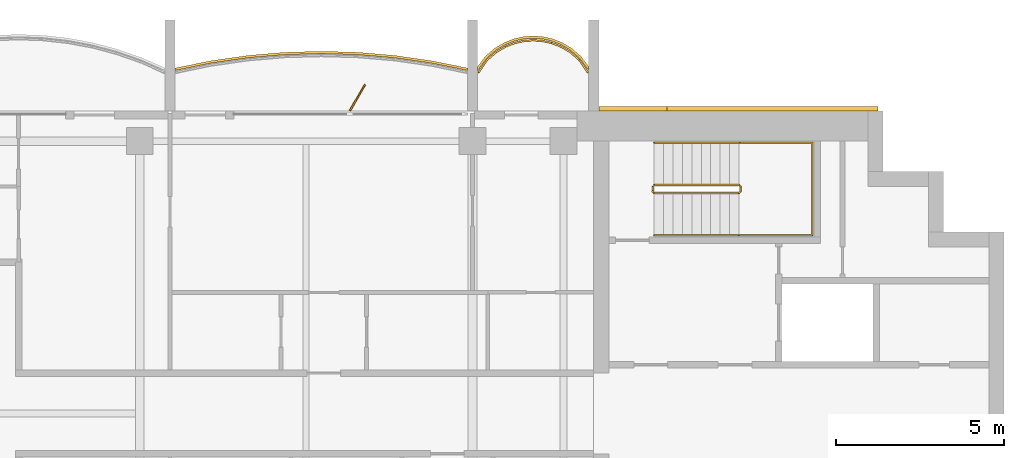
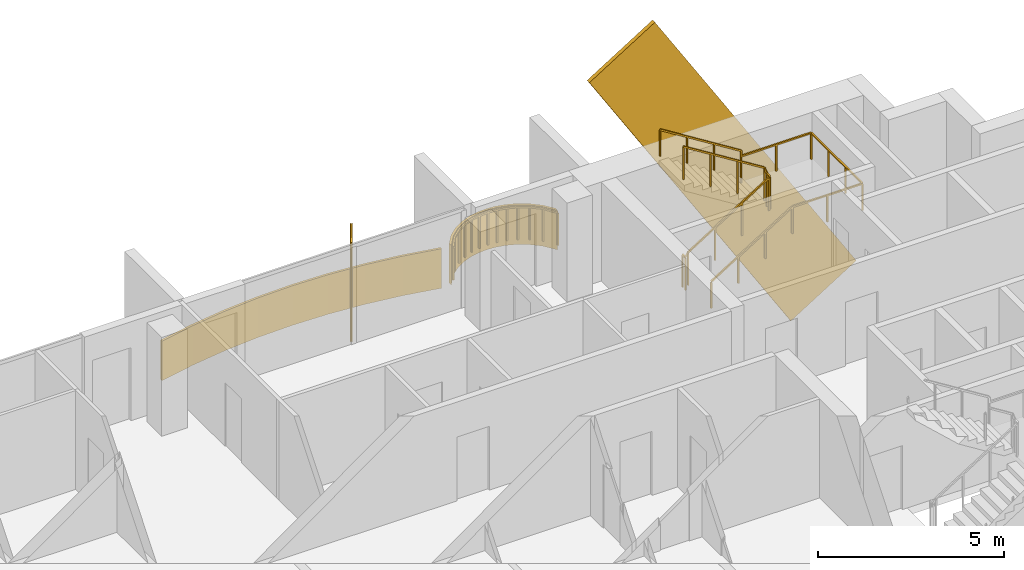
# One storey, part 16 of 16: 3 coverings, 3 railings, 1 shading device.
"""IFC4 building model written with IfcOpenShell, lengths in metres."""

from ifc_helpers import new_model, si_unit, direction, frame, origin, origin_2d, place, context, subcontext, project, spatial, polyline, rectangle, outline, extrude, material, layer, layer_set, material_profile, profile_set, type_object, element, save


model = new_model("IFC4")

# Units and contexts
model_context = context("Model", 3, precision=1e-05, world=origin(), true_north=direction((0.0, 1.0)))
body_context = subcontext(model_context, "Body", "Model", "MODEL_VIEW")
ifc_project = project(units=[si_unit("LENGTHUNIT", "METRE"), si_unit("AREAUNIT", "SQUARE_METRE"), si_unit("VOLUMEUNIT", "CUBIC_METRE"), si_unit("PLANEANGLEUNIT", "RADIAN"), si_unit("MASSUNIT", "GRAM", prefix="KILO")], contexts=[model_context])

# Site, building, storey
site_placement = place(None, origin())
site = spatial("IfcSite", under=ifc_project, at=site_placement, CompositionType="ELEMENT")
building_placement = place(site_placement, origin())
building = spatial("IfcBuilding", under=site, at=building_placement, Name="Perihelion Cross Residences", CompositionType="ELEMENT")
storey_placement = place(building_placement, frame((0.0, 0.0, 260.5)))
storey = spatial("IfcBuildingStorey", under=building, at=storey_placement, Name="L66", CompositionType="ELEMENT", Elevation=260.5)

# Coverings
ifc_material_1 = material(Name="Bronze anodised aluminium", Category="aluminium")
ifc_layer_1 = layer(ifc_material_1, 0.070068359375)
ifc_layer_set_1 = layer_set([ifc_layer_1], Name="Balcony fascia 1300")
covering_type_1 = type_object("IfcCoveringType", Name="Balcony fascia 1300", PredefinedType="CLADDING", material=ifc_layer_set_1)
covering_1_placement = place(storey_placement, frame((0.0, 0.0, -0.199951171875)))
element("IfcCovering", 1, at=covering_1_placement, inside=storey, type_object=covering_type_1, Name="Fascia BF1 L66 east side north bay 1", PredefinedType="CLADDING", context=body_context, shape_type="SweptSolid", body=[
    extrude(outline(polyline([(21.226318359375, 10.616455078125), (20.94091796875, 10.86328125), (20.655517578125, 11.031494140625), (20.370361328125, 11.142578125), (20.085205078125, 11.206298828125), (19.800048828125, 11.22705078125), (19.514892578125, 11.206298828125), (19.229736328125, 11.142578125), (18.9443359375, 11.031494140625), (18.6591796875, 10.86328125), (18.373779296875, 10.616455078125), (18.14990234375, 10.31689453125), (18.14990234375, 10.199951171875), (18.425048828125, 10.568603515625), (18.699951171875, 10.806396484375), (18.97509765625, 10.96875), (19.25, 11.07568359375), (19.52490234375, 11.136962890625), (19.800048828125, 11.156982421875), (20.074951171875, 11.136962890625), (20.35009765625, 11.07568359375), (20.625, 10.96875), (20.89990234375, 10.806396484375), (21.175048828125, 10.568603515625), (21.449951171875, 10.199951171875), (21.449951171875, 10.31689453125), (21.226318359375, 10.616455078125)])), origin(), (0.0, 0.0, 1.0), 1.300048828125),
])
covering_2_placement = place(storey_placement, frame((0.0, 0.0, -0.199951171875)))
element("IfcCovering", 2, at=covering_2_placement, inside=storey, type_object=covering_type_1, Name="Fascia BF1 L66 east side north bay 2", PredefinedType="CLADDING", context=body_context, shape_type="SweptSolid", body=[
    extrude(outline(polyline([(16.7744140625, 10.4892578125), (15.682861328125, 10.645751953125), (14.591552734375, 10.739013671875), (13.5, 10.77001953125), (12.408447265625, 10.739013671875), (11.317138671875, 10.645751953125), (10.2255859375, 10.4892578125), (9.14990234375, 10.271484375), (9.14990234375, 10.199951171875), (10.237548828125, 10.42041015625), (11.324951171875, 10.576171875), (12.41259765625, 10.669189453125), (13.5, 10.699951171875), (14.58740234375, 10.669189453125), (15.675048828125, 10.576171875), (16.762451171875, 10.42041015625), (17.85009765625, 10.199951171875), (17.85009765625, 10.271484375), (16.7744140625, 10.4892578125)])), origin(), (0.0, 0.0, 1.0), 1.300048828125),
])

# Railing
ifc_material_2 = material(Name="Bronze anodised aluminium", Category="aluminium")
railing_type_1 = type_object("IfcRailingType", Name="Balcony guard 1100", PredefinedType="GUARDRAIL", material=ifc_material_2)
railing_1_placement = place(storey_placement, frame((21.425048828125, 10.139892578125, 0.0)))
element("IfcRailing", 3, at=railing_1_placement, inside=storey, type_object=railing_type_1, Name="Guard GU1 L66 east side north bay 1 balcony", PredefinedType="GUARDRAIL", context=body_context, shape_type="SweptSolid", body=[
    extrude(rectangle(XDim=0.048095703125, YDim=0.048095703125, at=origin_2d()), frame((0.0, 0.0, 1.076171875), z_axis=(-0.561260132269, 0.827639452857, 0.0), x_axis=(-0.827639452857, -0.561260132269, 0.0)), (0.0, 0.0, 1.0), 0.4453125),
    extrude(rectangle(XDim=0.048095703125, YDim=0.048095703125, at=origin_2d()), frame((-0.25, 0.36865234375, 1.076171875), z_axis=(-0.756596535164, 0.653882009982, 0.0), x_axis=(-0.653882009982, -0.756596535164, 0.0)), (0.0, 0.0, 1.0), 0.36376953125),
    extrude(rectangle(XDim=0.048095703125, YDim=0.048095703125, at=origin_2d()), frame((-0.525146484375, 0.6064453125, 1.076171875), z_axis=(-0.861048292884, 0.508523192511, 0.0), x_axis=(-0.508523192511, -0.861048292884, 0.0)), (0.0, 0.0, 1.0), 0.3193359375),
    extrude(rectangle(XDim=0.048095703125, YDim=0.048095703125, at=origin_2d()), frame((-0.800048828125, 0.768798828125, 1.076171875), z_axis=(-0.931973602183, 0.362526143656, 0.0), x_axis=(-0.362526143656, -0.931973602183, 0.0)), (0.0, 0.0, 1.0), 0.294921875),
    extrude(rectangle(XDim=0.048095703125, YDim=0.048095703125, at=origin_2d()), frame((-1.074951171875, 0.875732421875, 1.076171875), z_axis=(-0.976085059389, 0.21738895289, 0.0), x_axis=(-0.21738895289, -0.976085059389, 0.0)), (0.0, 0.0, 1.0), 0.281982421875),
    extrude(rectangle(XDim=0.048095703125, YDim=0.048095703125, at=origin_2d()), frame((-1.35009765625, 0.93701171875, 1.076171875), z_axis=(-0.997358821833, 0.072631814734, 0.0), x_axis=(-0.072631814734, -0.997358821833, 0.0)), (0.0, 0.0, 1.0), 0.275634765625),
    extrude(rectangle(XDim=0.048095703125, YDim=0.048095703125, at=origin_2d()), frame((-1.625, 0.95703125, 1.076171875), z_axis=(-0.997363488337, -0.072567707226, 0.0), x_axis=(0.072567707226, -0.997363488337, 0.0)), (0.0, 0.0, 1.0), 0.27587890625),
    extrude(rectangle(XDim=0.048095703125, YDim=0.048095703125, at=origin_2d()), frame((-1.900146484375, 0.93701171875, 1.076171875), z_axis=(-0.976044077717, -0.217572880557, 0.0), x_axis=(0.217572880557, -0.976044077717, 0.0)), (0.0, 0.0, 1.0), 0.28173828125),
    extrude(rectangle(XDim=0.048095703125, YDim=0.048095703125, at=origin_2d()), frame((-2.175048828125, 0.875732421875, 1.076171875), z_axis=(-0.931973602183, -0.362526143656, 0.0), x_axis=(0.362526143656, -0.931973602183, 0.0)), (0.0, 0.0, 1.0), 0.294921875),
    extrude(rectangle(XDim=0.048095703125, YDim=0.048095703125, at=origin_2d()), frame((-2.449951171875, 0.768798828125, 1.076171875), z_axis=(-0.861245845072, -0.508188542123, 0.0), x_axis=(0.508188542123, -0.861245845072, 0.0)), (0.0, 0.0, 1.0), 0.319580078125),
    extrude(rectangle(XDim=0.048095703125, YDim=0.048095703125, at=origin_2d()), frame((-2.72509765625, 0.6064453125, 1.076171875), z_axis=(-0.756309278473, -0.654214242658, 0.0), x_axis=(0.654214242658, -0.756309278473, 0.0)), (0.0, 0.0, 1.0), 0.363525390625),
    extrude(rectangle(XDim=0.048095703125, YDim=0.048095703125, at=origin_2d()), frame((-3.0, 0.36865234375, 1.076171875), z_axis=(-0.561260132269, -0.827639452857, 0.0), x_axis=(0.827639452857, -0.561260132269, 0.0)), (0.0, 0.0, 1.0), 0.4453125),
    extrude(rectangle(XDim=0.0419921875, YDim=0.0419921875, at=origin_2d()), origin(), (0.0, 0.0, 1.0), 1.052001953125),
    extrude(rectangle(XDim=0.0419921875, YDim=0.0419921875, at=origin_2d()), frame((-0.25, 0.36865234375, 0.0)), (0.0, 0.0, 1.0), 1.052001953125),
    extrude(rectangle(XDim=0.0419921875, YDim=0.0419921875, at=origin_2d()), frame((-0.525146484375, 0.6064453125, 0.0)), (0.0, 0.0, 1.0), 1.052001953125),
    extrude(rectangle(XDim=0.0419921875, YDim=0.0419921875, at=origin_2d()), frame((-0.800048828125, 0.768798828125, 0.0)), (0.0, 0.0, 1.0), 1.052001953125),
    extrude(rectangle(XDim=0.0419921875, YDim=0.0419921875, at=origin_2d()), frame((-1.074951171875, 0.875732421875, 0.0)), (0.0, 0.0, 1.0), 1.052001953125),
    extrude(rectangle(XDim=0.0419921875, YDim=0.0419921875, at=origin_2d()), frame((-1.35009765625, 0.93701171875, 0.0)), (0.0, 0.0, 1.0), 1.052001953125),
    extrude(rectangle(XDim=0.0419921875, YDim=0.0419921875, at=origin_2d()), frame((-1.625, 0.95703125, 0.0)), (0.0, 0.0, 1.0), 1.052001953125),
    extrude(rectangle(XDim=0.0419921875, YDim=0.0419921875, at=origin_2d()), frame((-1.900146484375, 0.93701171875, 0.0)), (0.0, 0.0, 1.0), 1.052001953125),
    extrude(rectangle(XDim=0.0419921875, YDim=0.0419921875, at=origin_2d()), frame((-2.175048828125, 0.875732421875, 0.0)), (0.0, 0.0, 1.0), 1.052001953125),
    extrude(rectangle(XDim=0.0419921875, YDim=0.0419921875, at=origin_2d()), frame((-2.449951171875, 0.768798828125, 0.0)), (0.0, 0.0, 1.0), 1.052001953125),
    extrude(rectangle(XDim=0.0419921875, YDim=0.0419921875, at=origin_2d()), frame((-2.72509765625, 0.6064453125, 0.0)), (0.0, 0.0, 1.0), 1.052001953125),
    extrude(rectangle(XDim=0.0419921875, YDim=0.0419921875, at=origin_2d()), frame((-3.0, 0.36865234375, 0.0)), (0.0, 0.0, 1.0), 1.052001953125),
    extrude(rectangle(XDim=0.0419921875, YDim=0.0419921875, at=origin_2d()), frame((-3.25, 0.0, 0.0)), (0.0, 0.0, 1.0), 1.052001953125),
])

# Covering
ifc_material_3 = material(Name="Bronze anodised aluminium", Category="aluminium")
ifc_material_profile = material_profile(ifc_material_3, rectangle(XDim=0.125, YDim=2.39990234375, at=origin_2d()), Name="Bronze cladding band 2400")
ifc_profile_set = profile_set([ifc_material_profile], Name="Bronze anodised aluminium")
covering_type_2 = type_object("IfcCoveringType", Name="Bronze cladding band 2400", PredefinedType="CLADDING", material=ifc_profile_set)
covering_3_placement = place(storey_placement, frame((29.0322265625, 9.0625, -3.47119140625), z_axis=(-0.529915403603, 0.0, 0.848050508534), x_axis=(0.0, -1.0, 0.0)))
element("IfcCovering", 4, at=covering_3_placement, inside=storey, type_object=covering_type_2, Name="Core cladding band, east core", PredefinedType="CLADDING", context=body_context, shape_type="SweptSolid", body=[
    extrude(rectangle(XDim=0.125, YDim=2.39990234375, at=origin_2d()), origin(), (0.0, 0.0, 1.0), 11.822021484375),
])

# Shading device
ifc_material_4 = material(Name="Bronze anodised aluminium", Category="aluminium")
ifc_layer_2 = layer(ifc_material_4, 0.050048828125)
ifc_layer_set_2 = layer_set([ifc_layer_2], Name="Bronze fin 900")
shading_device_type = type_object("IfcShadingDeviceType", Name="Bronze fin 900", PredefinedType="USERDEFINED", material=ifc_layer_set_2)
shading_device_placement = place(storey_placement, frame((14.574951171875, 9.3896484375, 0.0), z_axis=(0.0, 0.0, 1.0), x_axis=(0.5, 0.866025403784, 0.0)))
element("IfcShadingDevice", 5, at=shading_device_placement, inside=storey, type_object=shading_device_type, Name="Fin FN1 L66 east side north bay 2", ObjectType="FIN", PredefinedType="USERDEFINED", context=body_context, shape_type="SweptSolid", body=[
    extrude(rectangle(XDim=0.89990234375, YDim=0.050048828125, at=origin_2d()), origin(), (0.0, 0.0, 1.0), 3.25),
])

# Railings
ifc_material_5 = material(Name="Stainless steel", Category="steel")
railing_type_2 = type_object("IfcRailingType", Name="Stair guard 1100", PredefinedType="GUARDRAIL", material=ifc_material_5)
railing_2_placement = place(storey_placement, frame((23.35009765625, 6.75, 0.0)))
element("IfcRailing", 6, at=railing_2_placement, inside=storey, type_object=railing_type_2, Name="L66 ST-E1 stair guard 1", PredefinedType="GUARDRAIL", context=body_context, shape_type="SweptSolid", body=[
    extrude(rectangle(XDim=0.048095703125, YDim=0.048095703125, at=origin_2d()), frame((0.0, 0.0, 1.076171875), z_axis=(0.0, -1.0, 0.0), x_axis=(1.0, 0.0, 0.0)), (0.0, 0.0, 1.0), 0.14990234375),
    extrude(rectangle(XDim=0.048095703125, YDim=0.048095703125, at=origin_2d()), frame((0.0, -0.14990234375, 1.076171875), z_axis=(0.263862480399, -0.265155923931, 0.927399011991), x_axis=(0.708833529934, 0.705375805398, 0.0)), (0.0, 0.0, 1.0), 0.188720703125),
    extrude(rectangle(XDim=0.048095703125, YDim=0.048095703125, at=origin_2d()), frame((0.0498046875, -0.199951171875, 1.2509765625), z_axis=(0.848007534815, 0.0, 0.529984170421), x_axis=(0.0, 1.0, 0.0)), (0.0, 0.0, 1.0), 2.9716796875),
    extrude(rectangle(XDim=0.048095703125, YDim=0.048095703125, at=origin_2d()), frame((2.56982421875, -0.199951171875, 2.826171875), z_axis=(0.707106781187, 0.707106781187, 0.0), x_axis=(-0.707106781187, 0.707106781187, 0.0)), (0.0, 0.0, 1.0), 0.07080078125),
    extrude(rectangle(XDim=0.048095703125, YDim=0.048095703125, at=origin_2d()), frame((2.619873046875, -0.14990234375, 2.826171875), z_axis=(0.0, 1.0, 0.0), x_axis=(-1.0, 0.0, 0.0)), (0.0, 0.0, 1.0), 0.14990234375),
    extrude(rectangle(XDim=0.048095703125, YDim=0.048095703125, at=origin_2d()), frame((2.619873046875, 0.0, 2.826171875), z_axis=(-0.265065253269, 0.265065253269, 0.927081885822), x_axis=(-0.707106781187, -0.707106781187, 0.0)), (0.0, 0.0, 1.0), 0.188720703125),
    extrude(rectangle(XDim=0.048095703125, YDim=0.048095703125, at=origin_2d()), frame((2.56982421875, 0.050048828125, 3.0009765625), z_axis=(-0.848007534815, 0.0, 0.529984170421), x_axis=(0.0, -1.0, 0.0)), (0.0, 0.0, 1.0), 2.9716796875),
    extrude(rectangle(XDim=0.0419921875, YDim=0.0419921875, at=origin_2d()), origin(), (0.0, 0.0, 1.0), 1.052001953125),
    extrude(rectangle(XDim=0.0419921875, YDim=0.0419921875, at=origin_2d()), frame((0.0, -0.14990234375, 0.0)), (0.0, 0.0, 1.0), 1.052001953125),
    extrude(rectangle(XDim=0.0419921875, YDim=0.0419921875, at=origin_2d()), frame((0.0498046875, -0.199951171875, 0.175048828125)), (0.0, 0.0, 1.0), 1.052001953125),
    extrude(rectangle(XDim=0.0419921875, YDim=0.0419921875, at=origin_2d()), frame((0.889892578125, -0.199951171875, 0.699951171875)), (0.0, 0.0, 1.0), 1.052001953125),
    extrude(rectangle(XDim=0.0419921875, YDim=0.0419921875, at=origin_2d()), frame((1.729736328125, -0.199951171875, 1.22509765625)), (0.0, 0.0, 1.0), 1.052001953125),
    extrude(rectangle(XDim=0.0419921875, YDim=0.0419921875, at=origin_2d()), frame((2.56982421875, -0.199951171875, 1.75)), (0.0, 0.0, 1.0), 1.052001953125),
    extrude(rectangle(XDim=0.0419921875, YDim=0.0419921875, at=origin_2d()), frame((2.619873046875, -0.14990234375, 1.75)), (0.0, 0.0, 1.0), 1.052001953125),
    extrude(rectangle(XDim=0.0419921875, YDim=0.0419921875, at=origin_2d()), frame((2.619873046875, 0.0, 1.75)), (0.0, 0.0, 1.0), 1.052001953125),
    extrude(rectangle(XDim=0.0419921875, YDim=0.0419921875, at=origin_2d()), frame((2.56982421875, 0.050048828125, 1.925048828125)), (0.0, 0.0, 1.0), 1.052001953125),
    extrude(rectangle(XDim=0.0419921875, YDim=0.0419921875, at=origin_2d()), frame((1.729736328125, 0.050048828125, 2.449951171875)), (0.0, 0.0, 1.0), 1.052001953125),
    extrude(rectangle(XDim=0.0419921875, YDim=0.0419921875, at=origin_2d()), frame((0.889892578125, 0.050048828125, 2.97509765625)), (0.0, 0.0, 1.0), 1.052001953125),
    extrude(rectangle(XDim=0.0419921875, YDim=0.0419921875, at=origin_2d()), frame((0.0498046875, 0.050048828125, 3.5)), (0.0, 0.0, 1.0), 1.052001953125),
])
ifc_material_6 = material(Name="Stainless steel", Category="steel")
railing_type_3 = type_object("IfcRailingType", Name="Stair handrail 900", PredefinedType="HANDRAIL", material=ifc_material_6)
railing_3_placement = place(storey_placement, frame((23.39990234375, 5.300048828125, 0.175048828125)))
element("IfcRailing", 7, at=railing_3_placement, inside=storey, type_object=railing_type_3, Name="L66 ST-E1 stair handrail 1", PredefinedType="HANDRAIL", context=body_context, shape_type="SweptSolid", body=[
    extrude(rectangle(XDim=0.048095703125, YDim=0.048095703125, at=origin_2d()), frame((0.0, 0.0, 0.8759765625), z_axis=(0.848007534815, 0.0, 0.529984170421), x_axis=(0.0, 1.0, 0.0)), (0.0, 0.0, 1.0), 2.9716796875),
    extrude(rectangle(XDim=0.048095703125, YDim=0.048095703125, at=origin_2d()), frame((2.52001953125, 0.0, 2.45068359375), z_axis=(1.0, 0.0, 0.0), x_axis=(0.0, 1.0, 0.0)), (0.0, 0.0, 1.0), 2.18017578125),
    extrude(rectangle(XDim=0.048095703125, YDim=0.048095703125, at=origin_2d()), frame((4.7001953125, 0.0, 2.45068359375), z_axis=(0.0, 1.0, 0.0), x_axis=(-1.0, 0.0, 0.0)), (0.0, 0.0, 1.0), 2.75),
    extrude(rectangle(XDim=0.048095703125, YDim=0.048095703125, at=origin_2d()), frame((4.7001953125, 2.75, 2.45068359375), z_axis=(-1.0, 0.0, 0.0), x_axis=(0.0, -1.0, 0.0)), (0.0, 0.0, 1.0), 2.18017578125),
    extrude(rectangle(XDim=0.048095703125, YDim=0.048095703125, at=origin_2d()), frame((2.52001953125, 2.75, 2.45068359375), z_axis=(0.0, 0.0, 1.0), x_axis=(1.0, 0.0, 0.0)), (0.0, 0.0, 1.0), 0.175048828125),
    extrude(rectangle(XDim=0.048095703125, YDim=0.048095703125, at=origin_2d()), frame((2.52001953125, 2.75, 2.6259765625), z_axis=(-0.848007534815, 0.0, 0.529984170421), x_axis=(0.0, -1.0, 0.0)), (0.0, 0.0, 1.0), 2.9716796875),
    extrude(rectangle(XDim=0.0419921875, YDim=0.0419921875, at=origin_2d()), origin(), (0.0, 0.0, 1.0), 0.851806640625),
    extrude(rectangle(XDim=0.0419921875, YDim=0.0419921875, at=origin_2d()), frame((0.840087890625, 0.0, 0.52490234375)), (0.0, 0.0, 1.0), 0.851806640625),
    extrude(rectangle(XDim=0.0419921875, YDim=0.0419921875, at=origin_2d()), frame((1.679931640625, 0.0, 1.050048828125)), (0.0, 0.0, 1.0), 0.851806640625),
    extrude(rectangle(XDim=0.0419921875, YDim=0.0419921875, at=origin_2d()), frame((2.52001953125, 0.0, 1.574951171875)), (0.0, 0.0, 1.0), 0.851806640625),
    extrude(rectangle(XDim=0.0419921875, YDim=0.0419921875, at=origin_2d()), frame((3.610107421875, 0.0, 1.574951171875)), (0.0, 0.0, 1.0), 0.851806640625),
    extrude(rectangle(XDim=0.0419921875, YDim=0.0419921875, at=origin_2d()), frame((4.7001953125, 0.0, 1.574951171875)), (0.0, 0.0, 1.0), 0.851806640625),
    extrude(rectangle(XDim=0.0419921875, YDim=0.0419921875, at=origin_2d()), frame((4.7001953125, 0.916748046875, 1.574951171875)), (0.0, 0.0, 1.0), 0.851806640625),
    extrude(rectangle(XDim=0.0419921875, YDim=0.0419921875, at=origin_2d()), frame((4.7001953125, 1.833251953125, 1.574951171875)), (0.0, 0.0, 1.0), 0.851806640625),
    extrude(rectangle(XDim=0.0419921875, YDim=0.0419921875, at=origin_2d()), frame((4.7001953125, 2.75, 1.574951171875)), (0.0, 0.0, 1.0), 0.851806640625),
    extrude(rectangle(XDim=0.0419921875, YDim=0.0419921875, at=origin_2d()), frame((3.610107421875, 2.75, 1.574951171875)), (0.0, 0.0, 1.0), 0.851806640625),
    extrude(rectangle(XDim=0.0419921875, YDim=0.0419921875, at=origin_2d()), frame((2.52001953125, 2.75, 1.574951171875)), (0.0, 0.0, 1.0), 0.851806640625),
    extrude(rectangle(XDim=0.0419921875, YDim=0.0419921875, at=origin_2d()), frame((2.52001953125, 2.75, 1.75)), (0.0, 0.0, 1.0), 0.851806640625),
    extrude(rectangle(XDim=0.0419921875, YDim=0.0419921875, at=origin_2d()), frame((1.679931640625, 2.75, 2.27490234375)), (0.0, 0.0, 1.0), 0.851806640625),
    extrude(rectangle(XDim=0.0419921875, YDim=0.0419921875, at=origin_2d()), frame((0.840087890625, 2.75, 2.800048828125)), (0.0, 0.0, 1.0), 0.851806640625),
    extrude(rectangle(XDim=0.0419921875, YDim=0.0419921875, at=origin_2d()), frame((0.0, 2.75, 3.324951171875)), (0.0, 0.0, 1.0), 0.851806640625),
])

save(model, "model.ifc")
